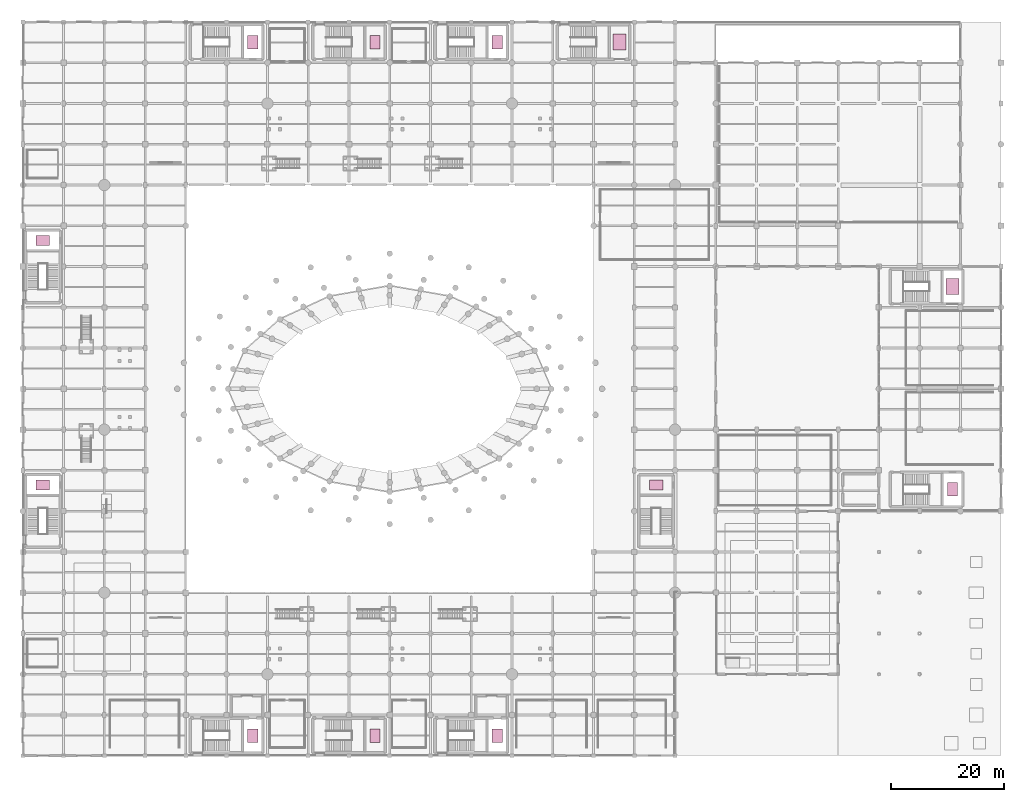
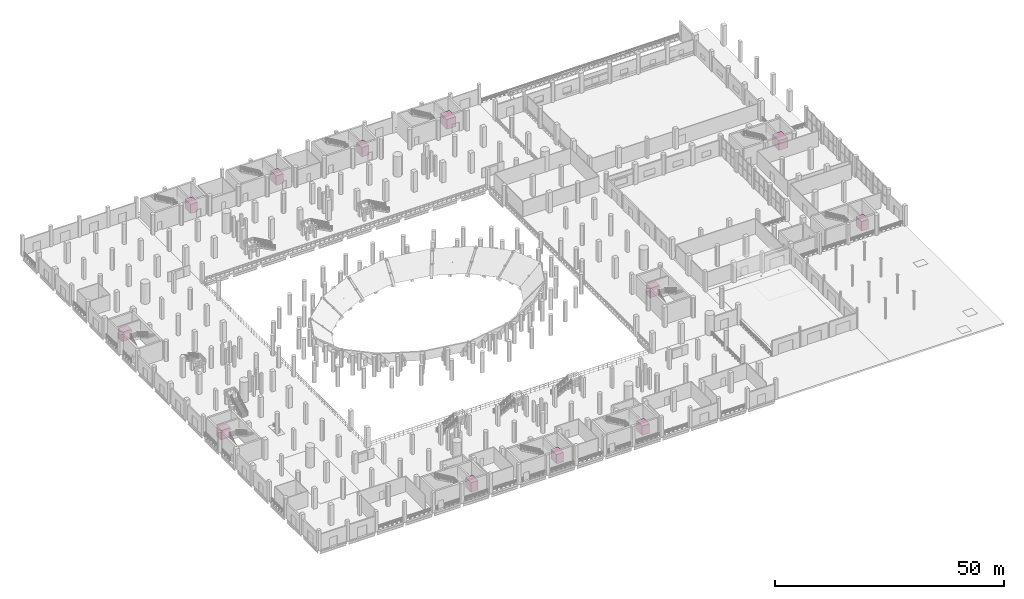
# One storey, part 58 of 58: 12 transport elements.
"""IFC4 building model written with IfcOpenShell, lengths in metres."""

from ifc_helpers import new_model, si_unit, direction, frame, origin, origin_2d, place, context, subcontext, project, spatial, rectangle, extrude, material, type_object, element, save


model = new_model("IFC4")

# Units and contexts
model_context = context("Model", 3, precision=1e-05, world=origin(), true_north=direction((0.0, 1.0)))
body_context = subcontext(model_context, "Body", "Model", "MODEL_VIEW")
ifc_project = project(units=[si_unit("LENGTHUNIT", "METRE"), si_unit("AREAUNIT", "SQUARE_METRE"), si_unit("VOLUMEUNIT", "CUBIC_METRE"), si_unit("PLANEANGLEUNIT", "RADIAN"), si_unit("MASSUNIT", "GRAM", prefix="KILO")], contexts=[model_context])

# Site, building, storey
site_placement = place(None, origin())
site = spatial("IfcSite", under=ifc_project, at=site_placement, CompositionType="ELEMENT")
building_placement = place(site_placement, origin())
building = spatial("IfcBuilding", under=site, at=building_placement, Name="Qandorah Velis Arena", CompositionType="ELEMENT")
storey_placement = place(building_placement, origin())
storey = spatial("IfcBuildingStorey", under=building, at=storey_placement, Name="L00", CompositionType="ELEMENT", Elevation=0.0)

# Transport elements
ifc_material_1 = material(Name="Fire-rated stainless steel 316", Category="steel")
transport_element_type_1 = type_object("IfcTransportElementType", Name="ARC-LFT-CAR-FF", PredefinedType="ELEVATOR", material=ifc_material_1)
for number, where, z_axis, x_axis, name in (
    (1, (40.60791015625, 3.550048828125, 0.0), (0.0, 0.0, 1.0), (1.0, 0.0, 0.0), "Lift FL1 (firefighting elevator)"),
    (2, (83.80810546875, 3.550048828125, 0.0), (0.0, 0.0, 1.0), (1.0, 0.0, 0.0), "Lift FL2 (firefighting elevator)"),
):
    element("IfcTransportElement", number, at=place(storey_placement, frame(where, z_axis=z_axis, x_axis=x_axis)), inside=storey, type_object=transport_element_type_1, Name=name, PredefinedType="ELEVATOR", context=body_context, shape_type="SweptSolid", body=[
        extrude(rectangle(XDim=1.800048828125, YDim=2.39990234375, at=origin_2d()), origin(), (0.0, 0.0, 1.0), 2.550048828125),
    ])
ifc_material_2 = material(Name="Heavy-duty stainless steel 316", Category="steel")
transport_element_type_2 = type_object("IfcTransportElementType", Name="ARC-LFT-CAR-GDS", PredefinedType="ELEVATOR", material=ifc_material_2)
for number, where, z_axis, x_axis, name in (
    (3, (164.2080078125, 82.85009765625, 0.0), (0.0, 0.0, 1.0), (1.0, 0.0, 0.0), "Lift GL1 (goods elevator)"),
    (4, (105.407958984375, 126.050048828125, 0.0), (0.0, 0.0, 1.0), (1.0, 0.0, 0.0), "Lift GL2 (goods elevator)"),
):
    element("IfcTransportElement", number, at=place(storey_placement, frame(where, z_axis=z_axis, x_axis=x_axis)), inside=storey, type_object=transport_element_type_2, Name=name, PredefinedType="ELEVATOR", context=body_context, shape_type="SweptSolid", body=[
        extrude(rectangle(XDim=2.300048828125, YDim=2.800048828125, at=origin_2d()), origin(), (0.0, 0.0, 1.0), 2.64990234375),
    ])
ifc_material_3 = material(Name="Brushed stainless steel 316", Category="steel")
transport_element_type_3 = type_object("IfcTransportElementType", Name="ARC-LFT-CAR-PAX", PredefinedType="ELEVATOR", material=ifc_material_3)
for number, where, z_axis, x_axis, name in (
    (5, (40.60791015625, 126.050048828125, 0.0), (0.0, 0.0, 1.0), (1.0, 0.0, 0.0), "Lift PL1 (passenger elevator)"),
    (6, (83.80810546875, 126.050048828125, 0.0), (0.0, 0.0, 1.0), (1.0, 0.0, 0.0), "Lift PL2 (passenger elevator)"),
    (7, (3.550048828125, 47.80810546875, 0.0), (0.0, 0.0, 1.0), (0.0, 1.0, 0.0), "Lift PL3 (passenger elevator)"),
    (8, (3.550048828125, 91.008056640625, 0.0), (0.0, 0.0, 1.0), (0.0, 1.0, 0.0), "Lift PL4 (passenger elevator)"),
    (9, (164.2080078125, 47.050048828125, 0.0), (0.0, 0.0, 1.0), (1.0, 0.0, 0.0), "Lift PL5 (passenger elevator)"),
    (10, (62.2080078125, 3.550048828125, 0.0), (0.0, 0.0, 1.0), (1.0, 0.0, 0.0), "Lift PL6 (passenger elevator)"),
    (11, (62.2080078125, 126.050048828125, 0.0), (0.0, 0.0, 1.0), (1.0, 0.0, 0.0), "Lift PL7 (passenger elevator)"),
    (12, (111.85009765625, 47.80810546875, 0.0), (0.0, 0.0, 1.0), (0.0, 1.0, 0.0), "Lift PL8 (passenger elevator)"),
):
    element("IfcTransportElement", number, at=place(storey_placement, frame(where, z_axis=z_axis, x_axis=x_axis)), inside=storey, type_object=transport_element_type_3, Name=name, PredefinedType="ELEVATOR", context=body_context, shape_type="SweptSolid", body=[
        extrude(rectangle(XDim=1.800048828125, YDim=2.39990234375, at=origin_2d()), origin(), (0.0, 0.0, 1.0), 2.5),
    ])

save(model, "model.ifc")
